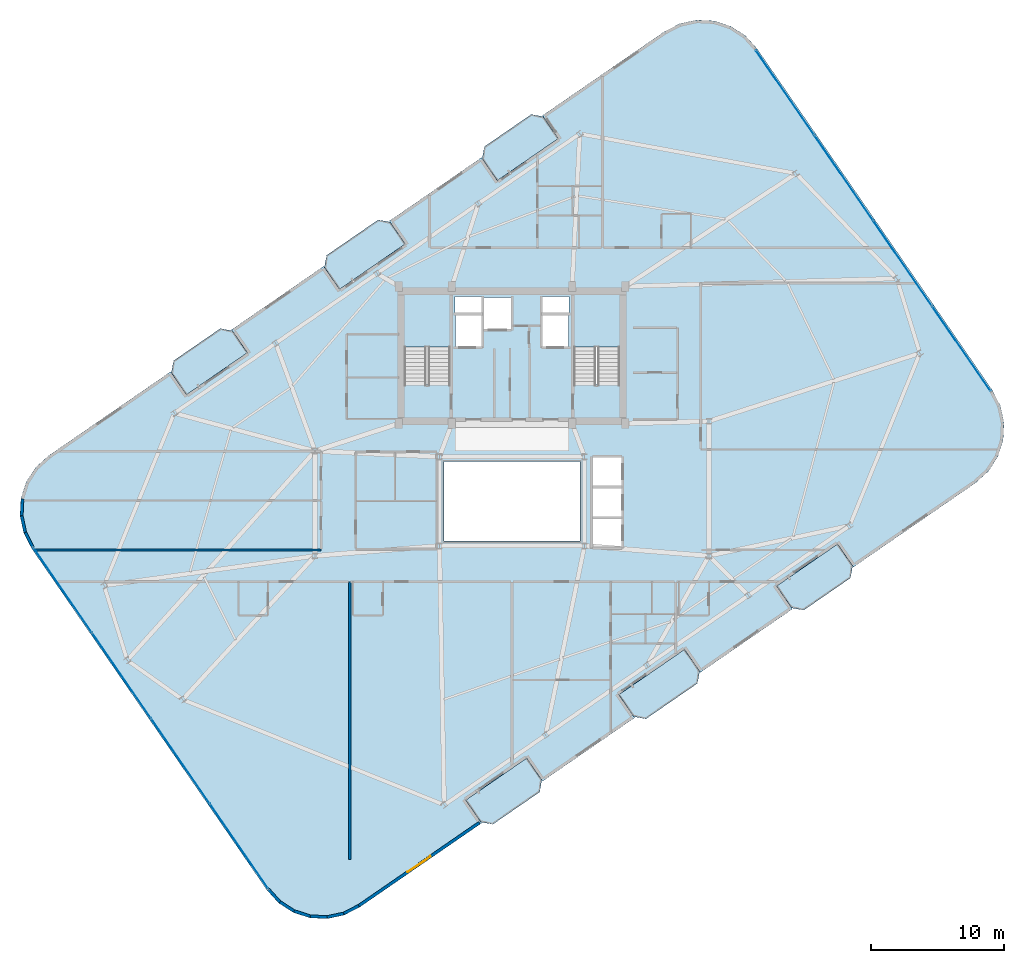
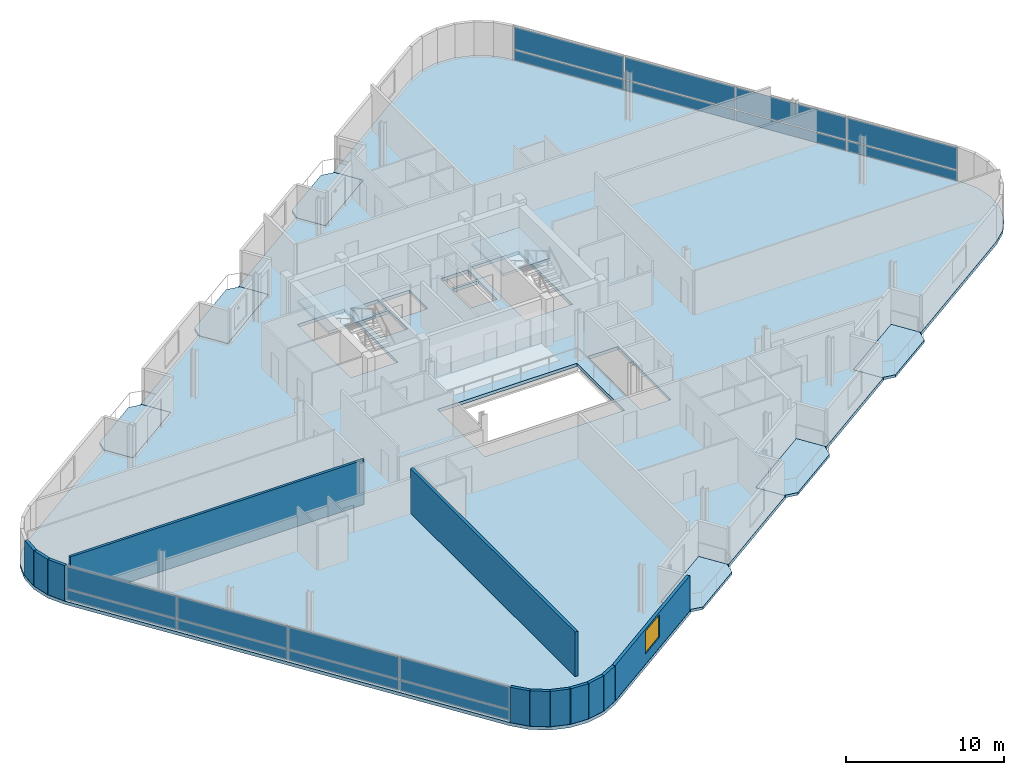
# One storey, part 13 of 21: 16 plates, 12 walls, 9 slabs, 1 window, 1 opening, 4 elements without a shape of their own.
"""IFC4 building model written with IfcOpenShell, lengths in metres."""

from ifc_helpers import new_model, si_unit, direction, frame, frame_2d, origin, origin_2d, place, context, subcontext, project, spatial, polyline, rectangle, outline, extrude, source, transform, mapped, material, layer, layer_set, type_object, element, fill, aggregate, save


model = new_model("IFC4")

# Units and contexts
model_context = context("Model", 3, precision=1e-05, world=origin(), true_north=direction((0.0, 1.0)))
body_context = subcontext(model_context, "Body", "Model", "MODEL_VIEW")
ifc_project = project(units=[si_unit("LENGTHUNIT", "METRE"), si_unit("AREAUNIT", "SQUARE_METRE"), si_unit("VOLUMEUNIT", "CUBIC_METRE"), si_unit("PLANEANGLEUNIT", "RADIAN"), si_unit("MASSUNIT", "GRAM", prefix="KILO")], contexts=[model_context])

# Site, building, storey
site_placement = place(None, origin())
site = spatial("IfcSite", under=ifc_project, at=site_placement, CompositionType="ELEMENT")
building_placement = place(site_placement, origin())
building = spatial("IfcBuilding", under=site, at=building_placement, Name="Varnelok Gate Tower", CompositionType="ELEMENT")
storey_placement = place(building_placement, frame((0.0, 0.0, 269.300048828125)))
storey = spatial("IfcBuildingStorey", under=building, at=storey_placement, Name="L69", CompositionType="ELEMENT", Elevation=269.300048828125)

# Slabs
ifc_material_1 = material(Name="Concrete C45/55", Category="concrete")
ifc_layer_1 = layer(ifc_material_1, 0.199951171875)
ifc_layer_set_1 = layer_set([ifc_layer_1], Name="Concrete C45/55")
slab_type_1 = type_object("IfcSlabType", Name="SLB-BALC-200", PredefinedType="FLOOR", material=ifc_layer_set_1)
slab_1_placement = place(storey_placement, frame((0.0, 0.0, -0.199951171875)))
element("IfcSlab", 1, at=slab_1_placement, inside=storey, type_object=slab_type_1, Name="L69 South Hollow Balcony 1", PredefinedType="FLOOR", context=body_context, shape_type="SweptSolid", body=[
    extrude(outline(polyline([(36.856201171875, -1.207275390625), (37.76025390625, -1.373779296875), (41.274169921875, 1.046630859375), (41.440673828125, 1.95068359375), (40.30615234375, 3.597900390625), (35.7216796875, 0.439697265625), (36.856201171875, -1.207275390625)])), origin(), (0.0, 0.0, 1.0), 0.199951171875),
])
slab_2_placement = place(storey_placement, frame((0.0, 0.0, -0.199951171875)))
element("IfcSlab", 2, at=slab_2_placement, inside=storey, type_object=slab_type_1, Name="L69 South Hollow Balcony 2", PredefinedType="FLOOR", context=body_context, shape_type="SweptSolid", body=[
    extrude(outline(polyline([(48.3583984375, 6.7158203125), (49.262451171875, 6.54931640625), (53.133056640625, 9.21533203125), (53.299560546875, 10.119384765625), (52.1650390625, 11.7666015625), (47.223876953125, 8.36279296875), (48.3583984375, 6.7158203125)])), origin(), (0.0, 0.0, 1.0), 0.199951171875),
])
slab_3_placement = place(storey_placement, frame((0.0, 0.0, -0.199951171875)))
element("IfcSlab", 3, at=slab_3_placement, inside=storey, type_object=slab_type_1, Name="L69 South Hollow Balcony 3", PredefinedType="FLOOR", context=body_context, shape_type="SweptSolid", body=[
    extrude(outline(polyline([(60.21728515625, 14.884521484375), (61.121337890625, 14.718017578125), (64.63525390625, 17.138427734375), (64.802001953125, 18.04248046875), (63.66748046875, 19.689453125), (59.082763671875, 16.531494140625), (60.21728515625, 14.884521484375)])), origin(), (0.0, 0.0, 1.0), 0.199951171875),
])
slab_4_placement = place(storey_placement, frame((0.0, 0.0, -0.199951171875)))
element("IfcSlab", 4, at=slab_4_placement, inside=storey, type_object=slab_type_1, Name="L69 North Hollow Balcony 1", PredefinedType="FLOOR", context=body_context, shape_type="SweptSolid", body=[
    extrude(outline(polyline([(14.732666015625, 30.910400390625), (19.3173828125, 34.068603515625), (18.1826171875, 35.715576171875), (17.27880859375, 35.882080078125), (13.7646484375, 33.461669921875), (13.59814453125, 32.5576171875), (14.732666015625, 30.910400390625)])), origin(), (0.0, 0.0, 1.0), 0.199951171875),
])
slab_5_placement = place(storey_placement, frame((0.0, 0.0, -0.199951171875)))
element("IfcSlab", 5, at=slab_5_placement, inside=storey, type_object=slab_type_1, Name="L69 North Hollow Balcony 2", PredefinedType="FLOOR", context=body_context, shape_type="SweptSolid", body=[
    extrude(outline(polyline([(26.23486328125, 38.83349609375), (31.176025390625, 42.2373046875), (30.04150390625, 43.88427734375), (29.1376953125, 44.05078125), (25.26708984375, 41.384521484375), (25.100341796875, 40.480712890625), (26.23486328125, 38.83349609375)])), origin(), (0.0, 0.0, 1.0), 0.199951171875),
])
slab_6_placement = place(storey_placement, frame((0.0, 0.0, -0.199951171875)))
element("IfcSlab", 6, at=slab_6_placement, inside=storey, type_object=slab_type_1, Name="L69 North Hollow Balcony 3", PredefinedType="FLOOR", context=body_context, shape_type="SweptSolid", body=[
    extrude(outline(polyline([(38.09375, 47.002197265625), (42.678466796875, 50.16015625), (41.5439453125, 51.807373046875), (40.639892578125, 51.973876953125), (37.125732421875, 49.55322265625), (36.959228515625, 48.6494140625), (38.09375, 47.002197265625)])), origin(), (0.0, 0.0, 1.0), 0.199951171875),
])

# Stair, slab
ifc_material_2 = material(Name="Concrete C50/60", Category="concrete")
stair_type = type_object("IfcStairType", Name="STR-CORE-1650", PredefinedType="HALF_TURN_STAIR", material=ifc_material_2)
stair_1_placement = place(storey_placement, origin())
stair_1 = element("IfcStair", 7, at=stair_1_placement, inside=storey, type_object=stair_type, Name="L69 Exit Stair ST-1", PredefinedType="HALF_TURN_STAIR")
ifc_layer_2 = layer(ifc_material_1, 0.199951171875)
ifc_layer_set_2 = layer_set([ifc_layer_2], Name="Concrete C45/55")
slab_type_2 = type_object("IfcSlabType", Name="SLB-LAND-200", PredefinedType="LANDING", material=ifc_layer_set_2)
slab_7_placement = place(storey_placement, frame((0.0, 0.0, 1.64990234375)))
slab_7 = element("IfcSlab", 8, at=slab_7_placement, type_object=slab_type_2, Name="ST-1 landing 1", PredefinedType="LANDING", context=body_context, shape_type="SweptSolid", body=[
    extrude(outline(polyline([(34.550048828125, 34.5), (34.550048828125, 38.449951171875), (31.10009765625, 38.449951171875), (31.10009765625, 34.5), (34.550048828125, 34.5)])), origin(), (0.0, 0.0, 1.0), 0.199951171875),
])
aggregate(stair_1, [slab_7])

stair_2_placement = place(storey_placement, origin())
stair_2 = element("IfcStair", 9, at=stair_2_placement, inside=storey, type_object=stair_type, Name="L69 Exit Stair ST-2", PredefinedType="HALF_TURN_STAIR")
slab_8_placement = place(storey_placement, frame((0.0, 0.0, 1.64990234375)))
slab_8 = element("IfcSlab", 10, at=slab_8_placement, type_object=slab_type_2, Name="ST-2 landing 1", PredefinedType="LANDING", context=body_context, shape_type="SweptSolid", body=[
    extrude(outline(polyline([(47.300048828125, 34.5), (47.300048828125, 38.449951171875), (43.85009765625, 38.449951171875), (43.85009765625, 34.5), (47.300048828125, 34.5)])), origin(), (0.0, 0.0, 1.0), 0.199951171875),
])
aggregate(stair_2, [slab_8])

# Slab
ifc_layer_3 = layer(ifc_material_2, 0.25)
ifc_layer_set_3 = layer_set([ifc_layer_3], Name="Concrete C50/60")
slab_type_3 = type_object("IfcSlabType", Name="SLB-TYP-250", PredefinedType="FLOOR", material=ifc_layer_set_3)
slab_9_placement = place(storey_placement, frame((0.0, 0.0, -0.25)))
element("IfcSlab", 11, at=slab_9_placement, inside=storey, type_object=slab_type_3, Name="L69 Structural Floor Slab", PredefinedType="FLOOR", context=body_context, shape_type="SweptSolid", body=[
    extrude(outline(polyline([(20.79052734375, -6.32373046875), (21.664794921875, -7.292724609375), (22.76025390625, -8.00244140625), (24.002197265625, -8.404541015625), (25.3056640625, -8.471435546875), (26.58203125, -8.19873046875), (27.744384765625, -7.60498046875), (36.25439453125, -1.7431640625), (36.912841796875, -1.28955078125), (35.7216796875, 0.439697265625), (40.30615234375, 3.597900390625), (41.49755859375, 1.868408203125), (48.4150390625, 6.63330078125), (47.223876953125, 8.36279296875), (52.1650390625, 11.7666015625), (53.356201171875, 10.037109375), (60.27392578125, 14.802001953125), (59.082763671875, 16.531494140625), (63.66748046875, 19.689453125), (64.858642578125, 17.960205078125), (65.51708984375, 18.413818359375), (74.027099609375, 24.275390625), (74.99609375, 25.14990234375), (75.705810546875, 26.245361328125), (76.10791015625, 27.487060546875), (76.1748046875, 28.79052734375), (75.902099609375, 30.067138671875), (75.308349609375, 31.2294921875), (57.609619140625, 56.923583984375), (56.735107421875, 57.892822265625), (55.6396484375, 58.6025390625), (54.39794921875, 59.00439453125), (53.094482421875, 59.071533203125), (51.81787109375, 58.798828125), (50.655517578125, 58.205078125), (42.145751953125, 52.34326171875), (41.487060546875, 51.8896484375), (42.678466796875, 50.16015625), (38.09375, 47.002197265625), (36.902587890625, 48.731689453125), (29.98486328125, 43.966552734375), (31.176025390625, 42.2373046875), (26.23486328125, 38.83349609375), (25.043701171875, 40.56298828125), (18.1259765625, 35.7978515625), (19.3173828125, 34.068603515625), (14.732666015625, 30.910400390625), (13.54150390625, 32.639892578125), (12.8828125, 32.186279296875), (4.373046875, 26.324462890625), (3.40380859375, 25.4501953125), (2.694091796875, 24.354736328125), (2.292236328125, 23.11279296875), (2.22509765625, 21.809326171875), (2.497802734375, 20.532958984375), (3.091796875, 19.37060546875), (20.79052734375, -6.32373046875)]), holes=[polyline([(34.550048828125, 31.679931640625), (34.550048828125, 38.449951171875), (31.10009765625, 38.449951171875), (31.10009765625, 31.679931640625), (34.550048828125, 31.679931640625)]), polyline([(47.300048828125, 31.679931640625), (47.300048828125, 38.449951171875), (43.85009765625, 38.449951171875), (43.85009765625, 31.679931640625), (47.300048828125, 31.679931640625)]), polyline([(34.949951171875, 34.550048828125), (36.89990234375, 34.550048828125), (36.89990234375, 36.89990234375), (34.949951171875, 36.89990234375), (34.949951171875, 34.550048828125)]), polyline([(41.5, 34.550048828125), (43.449951171875, 34.550048828125), (43.449951171875, 36.89990234375), (41.5, 36.89990234375), (41.5, 34.550048828125)]), polyline([(37.050048828125, 35.85009765625), (39.14990234375, 35.85009765625), (39.14990234375, 38.199951171875), (37.050048828125, 38.199951171875), (37.050048828125, 35.85009765625)]), polyline([(45.25, 19.449951171875), (47.449951171875, 19.449951171875), (47.449951171875, 26.199951171875), (45.25, 26.199951171875), (45.25, 19.449951171875)]), polyline([(34.919921875, 37.080078125), (36.89990234375, 37.080078125), (36.89990234375, 38.280029296875), (34.919921875, 38.280029296875), (34.919921875, 37.080078125)]), polyline([(41.5, 37.080078125), (43.47998046875, 37.080078125), (43.47998046875, 38.280029296875), (41.5, 38.280029296875), (41.5, 37.080078125)]), polyline([(34.10009765625, 19.89990234375), (44.300048828125, 19.89990234375), (44.300048828125, 25.89990234375), (34.10009765625, 25.89990234375), (34.10009765625, 19.89990234375)])]), origin(), (0.0, 0.0, 1.0), 0.25),
])

# Curtain wall, plates
ifc_material_3 = material(Name="Anodized Aluminum Alloy 6063-T6", Category="aluminium")
ifc_layer_4 = layer(ifc_material_3, 0.179931640625)
ifc_layer_set_4 = layer_set([ifc_layer_4], Name="Anodized Aluminum Alloy 6063-T6")
curtain_wall_type = type_object("IfcCurtainWallType", Name="CW4-RESIDENCE-VISION", PredefinedType="USERDEFINED", material=ifc_layer_set_4)
curtain_wall_1_placement = place(storey_placement, origin())
curtain_wall_1 = element("IfcCurtainWall", 12, at=curtain_wall_1_placement, inside=storey, type_object=curtain_wall_type, Name="L69 West End Vision Curtain Wall", ObjectType="UNITISED CURTAIN WALL", PredefinedType="USERDEFINED")
ifc_material_4 = material(Name="Low-E Laminated Double Glazing IGU", Category="glass")
ifc_layer_5 = layer(ifc_material_4, 0.035888671875)
ifc_layer_set_5 = layer_set([ifc_layer_5], Name="Low-E Laminated Double Glazing IGU")
plate_type = type_object("IfcPlateType", Name="CW-PNL-IGU36", PredefinedType="CURTAIN_PANEL", material=ifc_layer_set_5)
shared_shape_1 = source(origin(), body_context, "Body", "SweptSolid", [
    extrude(rectangle(XDim=7.6875, YDim=0.035888671875, at=origin_2d()), origin(), (0.0, 0.0, 1.0), 0.78759765625),
])
plate_1_placement = place(storey_placement, frame((18.682861328125, -3.01708984375, 0.074951171875), z_axis=(0.0, 0.0, 1.0), x_axis=(-0.567269395376, 0.823532290241, 0.0)))
plate_1 = element("IfcPlate", 13, at=plate_1_placement, type_object=plate_type, Name="CW4 panel 1.1", PredefinedType="CURTAIN_PANEL", context=body_context, shape_type="MappedRepresentation", body=[
    mapped(shared_shape_1, transform((0.0, 0.0, 0.0), scale=1.0)),
])
plate_2_placement = place(storey_placement, frame((5.429931640625, 16.22265625, 0.074951171875), z_axis=(0.0, 0.0, 1.0), x_axis=(-0.567269395376, 0.823532290241, 0.0)))
plate_2 = element("IfcPlate", 14, at=plate_2_placement, type_object=plate_type, Name="CW4 panel 4.1", PredefinedType="CURTAIN_PANEL", context=body_context, shape_type="MappedRepresentation", body=[
    mapped(shared_shape_1, transform((0.0, 0.0, 0.0), scale=1.0)),
])

curtain_wall_2_placement = place(storey_placement, origin())
curtain_wall_2 = element("IfcCurtainWall", 15, at=curtain_wall_2_placement, inside=storey, type_object=curtain_wall_type, Name="L69 East End Vision Curtain Wall", ObjectType="UNITISED CURTAIN WALL", PredefinedType="USERDEFINED")
plate_3_placement = place(storey_placement, frame((59.71728515625, 53.6171875, 0.074951171875), z_axis=(0.0, 0.0, 1.0), x_axis=(0.567269395376, -0.823532290241, 0.0)))
plate_3 = element("IfcPlate", 16, at=plate_3_placement, type_object=plate_type, Name="CW4 panel 1.1", PredefinedType="CURTAIN_PANEL", context=body_context, shape_type="MappedRepresentation", body=[
    mapped(shared_shape_1, transform((0.0, 0.0, 0.0), scale=1.0)),
])
plate_4_placement = place(storey_placement, frame((72.969970703125, 34.377197265625, 0.074951171875), z_axis=(0.0, 0.0, 1.0), x_axis=(0.567269395376, -0.823532290241, 0.0)))
plate_4 = element("IfcPlate", 17, at=plate_4_placement, type_object=plate_type, Name="CW4 panel 4.1", PredefinedType="CURTAIN_PANEL", context=body_context, shape_type="MappedRepresentation", body=[
    mapped(shared_shape_1, transform((0.0, 0.0, 0.0), scale=1.0)),
])

# Plate
shared_shape_2 = source(origin(), body_context, "Body", "SweptSolid", [
    extrude(rectangle(XDim=7.6875, YDim=0.035888671875, at=origin_2d()), origin(), (0.0, 0.0, 1.0), 1.717529296875),
])
plate_5_placement = place(storey_placement, frame((18.682861328125, -3.01708984375, 0.9375), z_axis=(0.0, 0.0, 1.0), x_axis=(-0.567269395376, 0.823532290241, 0.0)))
plate_5 = element("IfcPlate", 18, at=plate_5_placement, type_object=plate_type, Name="CW4 panel 1.2", PredefinedType="CURTAIN_PANEL", context=body_context, shape_type="MappedRepresentation", body=[
    mapped(shared_shape_2, transform((0.0, 0.0, 0.0), scale=1.0)),
])

plate_6_placement = place(storey_placement, frame((5.429931640625, 16.22265625, 0.9375), z_axis=(0.0, 0.0, 1.0), x_axis=(-0.567269395376, 0.823532290241, 0.0)))
plate_6 = element("IfcPlate", 19, at=plate_6_placement, type_object=plate_type, Name="CW4 panel 4.2", PredefinedType="CURTAIN_PANEL", context=body_context, shape_type="MappedRepresentation", body=[
    mapped(shared_shape_2, transform((0.0, 0.0, 0.0), scale=1.0)),
])

plate_7_placement = place(storey_placement, frame((59.71728515625, 53.6171875, 0.9375), z_axis=(0.0, 0.0, 1.0), x_axis=(0.567269395376, -0.823532290241, 0.0)))
plate_7 = element("IfcPlate", 20, at=plate_7_placement, type_object=plate_type, Name="CW4 panel 1.2", PredefinedType="CURTAIN_PANEL", context=body_context, shape_type="MappedRepresentation", body=[
    mapped(shared_shape_2, transform((0.0, 0.0, 0.0), scale=1.0)),
])

plate_8_placement = place(storey_placement, frame((72.969970703125, 34.377197265625, 0.9375), z_axis=(0.0, 0.0, 1.0), x_axis=(0.567269395376, -0.823532290241, 0.0)))
plate_8 = element("IfcPlate", 21, at=plate_8_placement, type_object=plate_type, Name="CW4 panel 4.2", PredefinedType="CURTAIN_PANEL", context=body_context, shape_type="MappedRepresentation", body=[
    mapped(shared_shape_2, transform((0.0, 0.0, 0.0), scale=1.0)),
])

shared_shape_3 = source(origin(), body_context, "Body", "SweptSolid", [
    extrude(rectangle(XDim=7.72509765625, YDim=0.035888671875, at=origin_2d()), origin(), (0.0, 0.0, 1.0), 0.78759765625),
])
plate_9_placement = place(storey_placement, frame((14.268798828125, 3.39111328125, 0.074951171875), z_axis=(0.0, 0.0, 1.0), x_axis=(-0.567269395376, 0.823532290241, 0.0)))
plate_9 = element("IfcPlate", 22, at=plate_9_placement, type_object=plate_type, Name="CW4 panel 2.1", PredefinedType="CURTAIN_PANEL", context=body_context, shape_type="MappedRepresentation", body=[
    mapped(shared_shape_3, transform((0.0, 0.0, 0.0), scale=1.0)),
])

plate_10_placement = place(storey_placement, frame((9.843994140625, 9.814453125, 0.074951171875), z_axis=(0.0, 0.0, 1.0), x_axis=(-0.567269395376, 0.823532290241, 0.0)))
plate_10 = element("IfcPlate", 23, at=plate_10_placement, type_object=plate_type, Name="CW4 panel 3.1", PredefinedType="CURTAIN_PANEL", context=body_context, shape_type="MappedRepresentation", body=[
    mapped(shared_shape_3, transform((0.0, 0.0, 0.0), scale=1.0)),
])

plate_11_placement = place(storey_placement, frame((64.13134765625, 47.208984375, 0.074951171875), z_axis=(0.0, 0.0, 1.0), x_axis=(0.567269395376, -0.823532290241, 0.0)))
plate_11 = element("IfcPlate", 24, at=plate_11_placement, type_object=plate_type, Name="CW4 panel 2.1", PredefinedType="CURTAIN_PANEL", context=body_context, shape_type="MappedRepresentation", body=[
    mapped(shared_shape_3, transform((0.0, 0.0, 0.0), scale=1.0)),
])

plate_12_placement = place(storey_placement, frame((68.555908203125, 40.785400390625, 0.074951171875), z_axis=(0.0, 0.0, 1.0), x_axis=(0.567269395376, -0.823532290241, 0.0)))
plate_12 = element("IfcPlate", 25, at=plate_12_placement, type_object=plate_type, Name="CW4 panel 3.1", PredefinedType="CURTAIN_PANEL", context=body_context, shape_type="MappedRepresentation", body=[
    mapped(shared_shape_3, transform((0.0, 0.0, 0.0), scale=1.0)),
])

shared_shape_4 = source(origin(), body_context, "Body", "SweptSolid", [
    extrude(rectangle(XDim=7.72509765625, YDim=0.035888671875, at=origin_2d()), origin(), (0.0, 0.0, 1.0), 1.717529296875),
])
plate_13_placement = place(storey_placement, frame((14.268798828125, 3.39111328125, 0.9375), z_axis=(0.0, 0.0, 1.0), x_axis=(-0.567269395376, 0.823532290241, 0.0)))
plate_13 = element("IfcPlate", 26, at=plate_13_placement, type_object=plate_type, Name="CW4 panel 2.2", PredefinedType="CURTAIN_PANEL", context=body_context, shape_type="MappedRepresentation", body=[
    mapped(shared_shape_4, transform((0.0, 0.0, 0.0), scale=1.0)),
])

plate_14_placement = place(storey_placement, frame((9.843994140625, 9.814453125, 0.9375), z_axis=(0.0, 0.0, 1.0), x_axis=(-0.567269395376, 0.823532290241, 0.0)))
plate_14 = element("IfcPlate", 27, at=plate_14_placement, type_object=plate_type, Name="CW4 panel 3.2", PredefinedType="CURTAIN_PANEL", context=body_context, shape_type="MappedRepresentation", body=[
    mapped(shared_shape_4, transform((0.0, 0.0, 0.0), scale=1.0)),
])

aggregate(curtain_wall_1, [plate_1, plate_5, plate_9, plate_13, plate_10, plate_14, plate_2, plate_6])

plate_15_placement = place(storey_placement, frame((64.13134765625, 47.208984375, 0.9375), z_axis=(0.0, 0.0, 1.0), x_axis=(0.567269395376, -0.823532290241, 0.0)))
plate_15 = element("IfcPlate", 28, at=plate_15_placement, type_object=plate_type, Name="CW4 panel 2.2", PredefinedType="CURTAIN_PANEL", context=body_context, shape_type="MappedRepresentation", body=[
    mapped(shared_shape_4, transform((0.0, 0.0, 0.0), scale=1.0)),
])

plate_16_placement = place(storey_placement, frame((68.555908203125, 40.785400390625, 0.9375), z_axis=(0.0, 0.0, 1.0), x_axis=(0.567269395376, -0.823532290241, 0.0)))
plate_16 = element("IfcPlate", 29, at=plate_16_placement, type_object=plate_type, Name="CW4 panel 3.2", PredefinedType="CURTAIN_PANEL", context=body_context, shape_type="MappedRepresentation", body=[
    mapped(shared_shape_4, transform((0.0, 0.0, 0.0), scale=1.0)),
])

aggregate(curtain_wall_2, [plate_3, plate_7, plate_11, plate_15, plate_12, plate_16, plate_4, plate_8])

# Walls
ifc_layer_6 = layer(ifc_material_1, 0.219970703125)
ifc_layer_set_6 = layer_set([ifc_layer_6], Name="Concrete C45/55")
wall_type_1 = type_object("IfcWallType", Name="EW-BALC-220", PredefinedType="SOLIDWALL", material=ifc_layer_set_6)
wall_1_placement = place(storey_placement, frame((20.89013671875, -6.255126953125, 0.0), z_axis=(0.0, 0.0, 1.0), x_axis=(0.669949059844, -0.74240706975, 0.0)))
element("IfcWall", 30, at=wall_1_placement, inside=storey, type_object=wall_type_1, Name="L69 Perimeter Facade Closure Wall 1", PredefinedType="SOLIDWALL", context=body_context, shape_type="SweptSolid", body=[
    extrude(rectangle(XDim=1.273681640625, YDim=0.219970703125, at=frame_2d((0.63671875, 0.0))), origin(), (0.0, 0.0, 1.0), 2.72998046875),
])
for number, where, z_axis, x_axis, name in (
    (31, (21.764404296875, -7.21435546875, 0.0), (0.0, 0.0, 1.0), (0.839229000731, -0.543778157277, 0.0), "L69 Perimeter Facade Closure Wall 2"),
    (32, (22.836181640625, -7.90087890625, 0.0), (0.0, 0.0, 1.0), (0.951385542995, -0.308002513919, 0.0), "L69 Perimeter Facade Closure Wall 3"),
    (33, (24.049072265625, -8.286865234375, 0.0), (0.0, 0.0, 1.0), (0.998686637427, -0.051234756022, 0.0), "L69 Perimeter Facade Closure Wall 4"),
):
    element("IfcWall", number, at=place(storey_placement, frame(where, z_axis=z_axis, x_axis=x_axis)), inside=storey, type_object=wall_type_1, Name=name, PredefinedType="SOLIDWALL", context=body_context, shape_type="SweptSolid", body=[
        extrude(rectangle(XDim=1.24853515625, YDim=0.219970703125, at=frame_2d((0.624267578125, 0.0))), origin(), (0.0, 0.0, 1.0), 2.72998046875),
    ])
wall_2_placement = place(storey_placement, frame((25.3203125, -8.345703125, 0.0), z_axis=(0.0, 0.0, 1.0), x_axis=(0.977916710262, 0.208994994656, 0.0)))
element("IfcWall", 34, at=wall_2_placement, inside=storey, type_object=wall_type_1, Name="L69 Perimeter Facade Closure Wall 5", PredefinedType="SOLIDWALL", context=body_context, shape_type="SweptSolid", body=[
    extrude(rectangle(XDim=1.248779296875, YDim=0.219970703125, at=frame_2d((0.62451171875, 0.0))), origin(), (0.0, 0.0, 1.0), 2.72998046875),
])
wall_3_placement = place(storey_placement, frame((26.563720703125, -8.073486328125, 0.0), z_axis=(0.0, 0.0, 1.0), x_axis=(0.890508147271, 0.454967295137, 0.0)))
element("IfcWall", 35, at=wall_3_placement, inside=storey, type_object=wall_type_1, Name="L69 Perimeter Facade Closure Wall 6", PredefinedType="SOLIDWALL", context=body_context, shape_type="SweptSolid", body=[
    extrude(rectangle(XDim=1.2568359375, YDim=0.219970703125, at=frame_2d((0.62841796875, 0.0))), origin(), (0.0, 0.0, 1.0), 2.72998046875),
])

# Wall, opening, window
wall_4_placement = place(storey_placement, frame((27.70361328125, -7.487548828125, 0.0), z_axis=(0.0, 0.0, 1.0), x_axis=(0.823529068157, 0.567274073003, 0.0)))
wall_4 = element("IfcWall", 36, at=wall_4_placement, inside=storey, type_object=wall_type_1, Name="L69 Perimeter Facade Closure Wall 7", PredefinedType="SOLIDWALL", context=body_context, shape_type="SweptSolid", body=[
    extrude(rectangle(XDim=10.980224609375, YDim=0.219970703125, at=frame_2d((5.490234375, 0.0))), origin(), (0.0, 0.0, 1.0), 2.72998046875),
])
opening_placement = place(wall_4_placement, frame((4.440185546875, 0.0, 0.800048828125)))
opening = element("IfcOpeningElement", 37, at=opening_placement, cuts=wall_4, Name="Opening WN4", PredefinedType="OPENING", context=body_context, shape_type="SweptSolid", body=[
    extrude(rectangle(XDim=2.10009765625, YDim=1.75, at=frame_2d((1.050048828125, 0.875))), frame((0.0, 0.119873046875, 0.0), z_axis=(0.0, -1.0, 0.0), x_axis=(1.0, 0.0, 0.0)), (0.0, 0.0, 1.0), 0.239990234375),
])
window_type = type_object("IfcWindowType", Name="WN-SUI-2100", PartitioningType="SINGLE_PANEL", PredefinedType="WINDOW", material=ifc_material_4)
window_placement = place(opening_placement, origin())
window = element("IfcWindow", 38, at=window_placement, inside=storey, type_object=window_type, Name="L69 Perimeter Vision Window 7", OverallHeight=1.75, OverallWidth=2.10009765625, PartitioningType="SINGLE_PANEL", PredefinedType="WINDOW", context=body_context, shape_type="SweptSolid", body=[
    extrude(rectangle(XDim=2.10009765625, YDim=1.75, at=frame_2d((1.050048828125, 0.875))), frame((0.0, 0.030029296875, 0.0), z_axis=(0.0, -1.0, 0.0), x_axis=(1.0, 0.0, 0.0)), (0.0, 0.0, 1.0), 0.06005859375),
])
fill(opening, window)

# Walls
wall_5_placement = place(storey_placement, frame((2.409912109375, 23.06591796875, 0.0), z_axis=(0.0, 0.0, 1.0), x_axis=(-0.051234756022, -0.998686637427, 0.0)))
element("IfcWall", 39, at=wall_5_placement, inside=storey, type_object=wall_type_1, Name="L69 Perimeter Facade Closure Wall 42", PredefinedType="SOLIDWALL", context=body_context, shape_type="SweptSolid", body=[
    extrude(rectangle(XDim=1.24853515625, YDim=0.219970703125, at=frame_2d((0.624267578125, 0.0))), origin(), (0.0, 0.0, 1.0), 2.72998046875),
])
for number, where, z_axis, x_axis, name in (
    (40, (2.35107421875, 21.794677734375, 0.0), (0.0, 0.0, 1.0), (0.208994994656, -0.977916710262, 0.0), "L69 Perimeter Facade Closure Wall 43"),
    (41, (2.623291015625, 20.55126953125, 0.0), (0.0, 0.0, 1.0), (0.454938817534, -0.890522696118, 0.0), "L69 Perimeter Facade Closure Wall 44"),
):
    element("IfcWall", number, at=place(storey_placement, frame(where, z_axis=z_axis, x_axis=x_axis)), inside=storey, type_object=wall_type_1, Name=name, PredefinedType="SOLIDWALL", context=body_context, shape_type="SweptSolid", body=[
        extrude(rectangle(XDim=1.248779296875, YDim=0.219970703125, at=frame_2d((0.62451171875, 0.0))), origin(), (0.0, 0.0, 1.0), 2.72998046875),
    ])
ifc_material_5 = material(Name="Gypsum Plasterboard Acoustic Partition", Category="gypsum")
ifc_layer_7 = layer(ifc_material_5, 0.179931640625)
ifc_layer_set_7 = layer_set([ifc_layer_7], Name="Gypsum Plasterboard Acoustic Partition")
wall_type_2 = type_object("IfcWallType", Name="PW-CORR-180", PredefinedType="PARTITIONING", material=ifc_layer_set_7)
wall_6_placement = place(storey_placement, frame((3.3916015625, 19.239990234375, 0.0), z_axis=(0.0, 0.0, 1.0), x_axis=(1.0, 0.0, 0.0)))
element("IfcWall", 42, at=wall_6_placement, inside=storey, type_object=wall_type_2, Name="Interior Partition", PredefinedType="PARTITIONING", context=body_context, shape_type="SweptSolid", body=[
    extrude(rectangle(XDim=21.45849609375, YDim=0.179931640625, at=frame_2d((10.729248046875, 0.0))), origin(), (0.0, 0.0, 1.0), 3.449951171875),
])
ifc_layer_8 = layer(ifc_material_5, 0.205078125)
ifc_layer_set_8 = layer_set([ifc_layer_8], Name="Gypsum Plasterboard Acoustic Partition")
wall_type_3 = type_object("IfcWallType", Name="PW-PARTY-200", PredefinedType="PARTITIONING", material=ifc_layer_set_8)
wall_7_placement = place(storey_placement, frame((27.0, -4.0, 0.0), z_axis=(0.0, 0.0, 1.0), x_axis=(0.0, 1.0, 0.0)))
element("IfcWall", 43, at=wall_7_placement, inside=storey, type_object=wall_type_3, Name="L69 South Party Wall 1", PredefinedType="PARTITIONING", context=body_context, shape_type="SweptSolid", body=[
    extrude(rectangle(XDim=20.85009765625, YDim=0.205078125, at=frame_2d((10.425048828125, 0.0))), origin(), (0.0, 0.0, 1.0), 3.449951171875),
])

save(model, "model.ifc")
